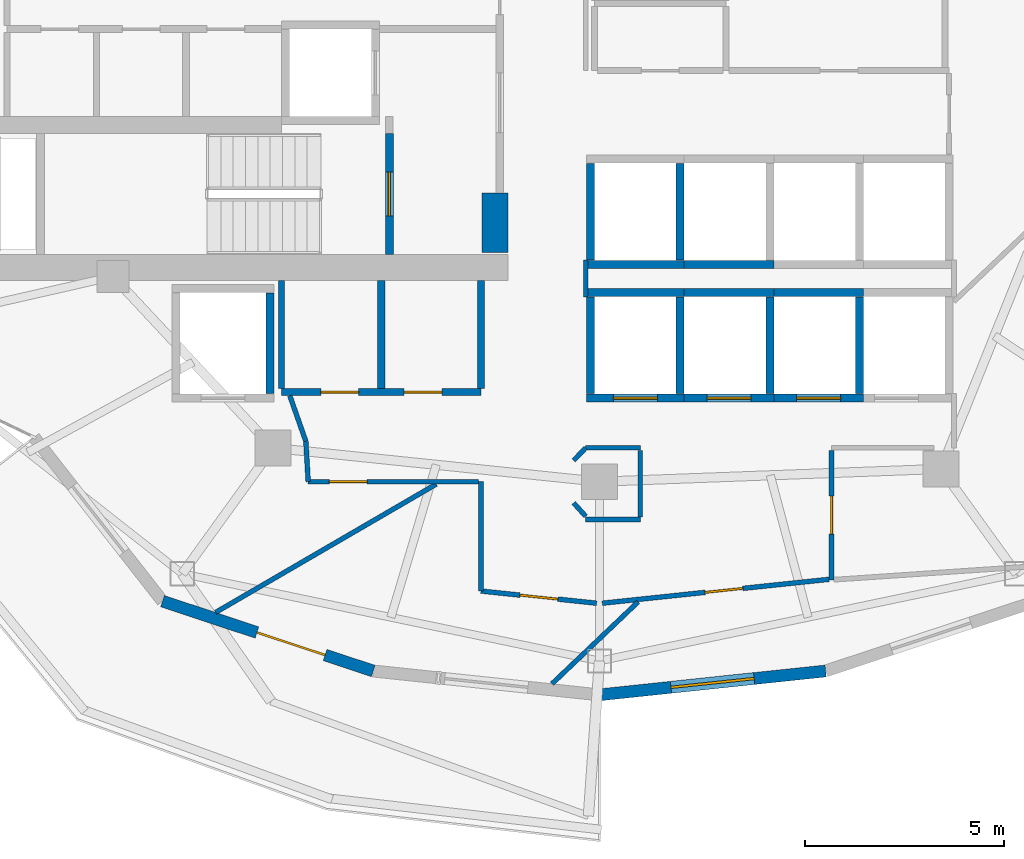
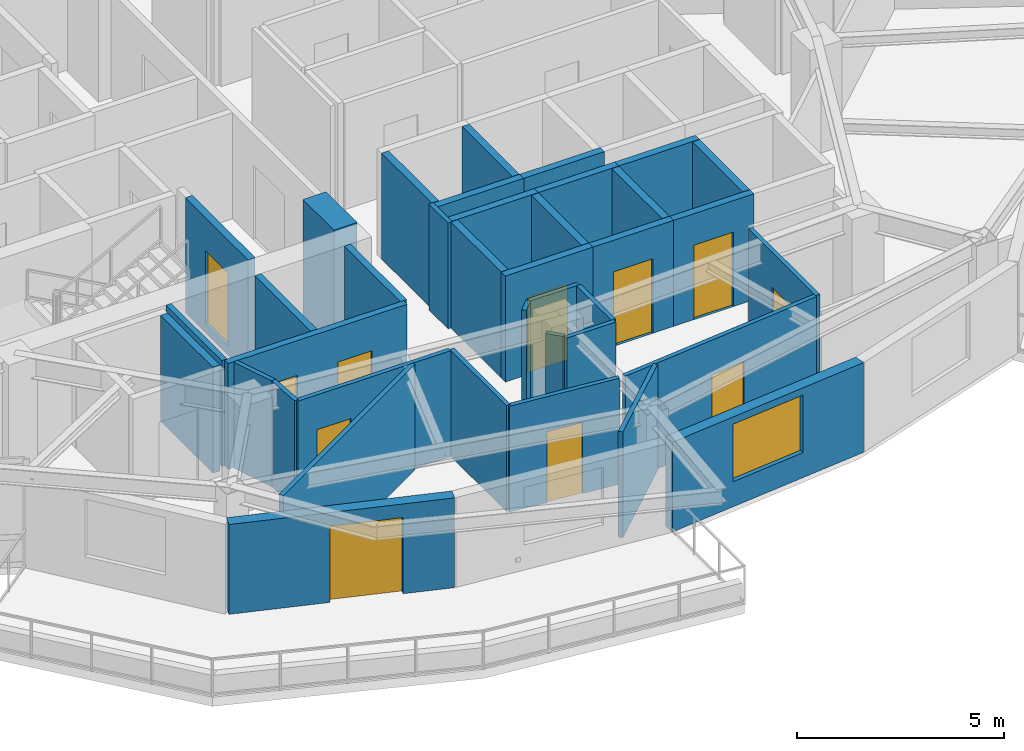
# One storey, part 7 of 13: 38 walls, 11 doors, 1 window, 12 openings.
"""IFC4 building model written with IfcOpenShell, lengths in metres."""

from ifc_helpers import new_model, si_unit, direction, frame, frame_2d, origin, place, context, subcontext, project, spatial, rectangle, extrude, material, layer, layer_set, type_object, element, fill, save


model = new_model("IFC4")

# Units and contexts
model_context = context("Model", 3, precision=1e-05, world=origin(), true_north=direction((0.0, 1.0)))
body_context = subcontext(model_context, "Body", "Model", "MODEL_VIEW")
ifc_project = project(units=[si_unit("LENGTHUNIT", "METRE"), si_unit("AREAUNIT", "SQUARE_METRE"), si_unit("VOLUMEUNIT", "CUBIC_METRE"), si_unit("PLANEANGLEUNIT", "RADIAN"), si_unit("MASSUNIT", "GRAM", prefix="KILO")], contexts=[model_context])

# Site, building, storey
site_placement = place(None, origin())
site = spatial("IfcSite", under=ifc_project, at=site_placement, CompositionType="ELEMENT")
building_placement = place(site_placement, origin())
building = spatial("IfcBuilding", under=site, at=building_placement, Name="Kolvaren Gate Tower and Convention Centre", CompositionType="ELEMENT")
storey_placement = place(building_placement, frame((0.0, 0.0, 156.300048828125)))
storey = spatial("IfcBuildingStorey", under=building, at=storey_placement, Name="L40", CompositionType="ELEMENT", Elevation=156.300048828125)

# Wall, openings, doors
ifc_material_1 = material(Name="Autoclaved Aerated Masonry Blockwork Class 4 (4.0 MPa)", Category="masonry")
ifc_layer_1 = layer(ifc_material_1, 0.179931640625)
ifc_layer_set_1 = layer_set([ifc_layer_1], Name="Autoclaved Aerated Masonry Blockwork Class 4 (4.0 MPa)")
wall_type_1 = type_object("IfcWallType", Name="ARCH-WL-COMP-180", PredefinedType="SOLIDWALL", material=ifc_layer_set_1)
wall_1_placement = place(storey_placement, frame((22.14990234375, 17.050048828125, 0.0), z_axis=(0.0, 0.0, 1.0), x_axis=(1.0, 0.0, 0.0)))
wall_1 = element("IfcWall", 1, at=wall_1_placement, inside=storey, type_object=wall_type_1, Name="Interior Partition WL-L40-INT-011", PredefinedType="SOLIDWALL", context=body_context, shape_type="SweptSolid", body=[
    extrude(rectangle(XDim=5.0, YDim=0.179931640625, at=frame_2d((2.5, 0.0))), origin(), (0.0, 0.0, 1.0), 3.1298828125),
])
opening_1_placement = place(wall_1_placement, frame((0.97998046875, 0.0, 0.0)))
opening_1 = element("IfcOpeningElement", 2, at=opening_1_placement, cuts=wall_1, Name="Opening DR-01", PredefinedType="OPENING", context=body_context, shape_type="SweptSolid", body=[
    extrude(rectangle(XDim=0.949951171875, YDim=2.10009765625, at=frame_2d((0.47509765625, 1.050048828125))), frame((0.0, 0.099853515625, 0.0), z_axis=(0.0, -1.0, 0.0), x_axis=(1.0, 0.0, 0.0)), (0.0, 0.0, 1.0), 0.199951171875),
])
opening_2_placement = place(wall_1_placement, frame((3.070068359375, 0.0, 0.0)))
opening_2 = element("IfcOpeningElement", 3, at=opening_2_placement, cuts=wall_1, Name="Opening DR-01", PredefinedType="OPENING", context=body_context, shape_type="SweptSolid", body=[
    extrude(rectangle(XDim=0.949951171875, YDim=2.10009765625, at=frame_2d((0.47509765625, 1.050048828125))), frame((0.0, 0.099853515625, 0.0), z_axis=(0.0, -1.0, 0.0), x_axis=(1.0, 0.0, 0.0)), (0.0, 0.0, 1.0), 0.199951171875),
])
ifc_material_2 = material(Name="Painted Architectural Steelwork ASTM A500 Grade C 345 MPa", Category="steel")
door_type_1 = type_object("IfcDoorType", Name="ARCH-DR-RISER-950", OperationType="SINGLE_SWING_RIGHT", PredefinedType="DOOR", material=ifc_material_2)
door_1_placement = place(opening_1_placement, origin())
door_1 = element("IfcDoor", 4, at=door_1_placement, inside=storey, type_object=door_type_1, Name="West Valet Store Door", OperationType="SINGLE_SWING_RIGHT", OverallHeight=2.10009765625, OverallWidth=0.949951171875, PredefinedType="DOOR", context=body_context, shape_type="SweptSolid", body=[
    extrude(rectangle(XDim=0.949951171875, YDim=2.10009765625, at=frame_2d((0.47509765625, 1.050048828125))), frame((0.0, 0.02490234375, 0.0), z_axis=(0.0, -1.0, 0.0), x_axis=(1.0, 0.0, 0.0)), (0.0, 0.0, 1.0), 0.050048828125),
])
fill(opening_1, door_1)
door_2_placement = place(opening_2_placement, origin())
door_2 = element("IfcDoor", 5, at=door_2_placement, inside=storey, type_object=door_type_1, Name="Metering Switch Room Door", OperationType="SINGLE_SWING_LEFT", OverallHeight=2.10009765625, OverallWidth=0.949951171875, PredefinedType="DOOR", context=body_context, shape_type="SweptSolid", body=[
    extrude(rectangle(XDim=0.949951171875, YDim=2.10009765625, at=frame_2d((0.47509765625, 1.050048828125))), frame((0.0, 0.02490234375, 0.0), z_axis=(0.0, -1.0, 0.0), x_axis=(1.0, 0.0, 0.0)), (0.0, 0.0, 1.0), 0.050048828125),
])
fill(opening_2, door_2)

# Walls
for number, where, z_axis, x_axis, name in (
    (6, (24.64990234375, 17.14208984375, 0.0), (0.0, 0.0, 1.0), (0.0, 1.0, 0.0), "Interior Partition WL-L40-INT-013"),
    (7, (27.14990234375, 17.14208984375, 0.0), (0.0, 0.0, 1.0), (0.0, 1.0, 0.0), "Interior Partition WL-L40-INT-015"),
):
    element("IfcWall", number, at=place(storey_placement, frame(where, z_axis=z_axis, x_axis=x_axis)), inside=storey, type_object=wall_type_1, Name=name, PredefinedType="SOLIDWALL", context=body_context, shape_type="SweptSolid", body=[
        extrude(rectangle(XDim=2.705810546875, YDim=0.179931640625, at=frame_2d((1.35302734375, 0.0))), origin(), (0.0, 0.0, 1.0), 3.1298828125),
    ])
ifc_material_3 = material(Name="Fire-Rated Acoustic Gypsum Stud Partition", Category="gypsum")
ifc_layer_2 = layer(ifc_material_3, 0.1201171875)
ifc_layer_set_2 = layer_set([ifc_layer_2], Name="Fire-Rated Acoustic Gypsum Stud Partition")
wall_type_2 = type_object("IfcWallType", Name="ARCH-WL-PART-120", PredefinedType="PARTITIONING", material=ifc_layer_set_2)
wall_2_placement = place(storey_placement, frame((27.14990234375, 12.055908203125, 0.0), z_axis=(0.0, 0.0, 1.0), x_axis=(0.0, 1.0, 0.0)))
element("IfcWall", 8, at=wall_2_placement, inside=storey, type_object=wall_type_2, Name="Interior Partition WL-L40-INT-014", PredefinedType="PARTITIONING", context=body_context, shape_type="SweptSolid", body=[
    extrude(rectangle(XDim=2.744140625, YDim=0.1201171875, at=frame_2d((1.3720703125, 0.0))), origin(), (0.0, 0.0, 1.0), 3.1298828125),
])
wall_3_placement = place(storey_placement, frame((29.780029296875, 15.64990234375, 0.0), z_axis=(0.0, 0.0, 1.0), x_axis=(1.0, 0.0, 0.0)))
element("IfcWall", 9, at=wall_3_placement, inside=storey, type_object=wall_type_2, Name="Interior Partition WL-L40-INT-030", PredefinedType="PARTITIONING", context=body_context, shape_type="SweptSolid", body=[
    extrude(rectangle(XDim=1.369873046875, YDim=0.1201171875, at=frame_2d((0.68505859375, 0.0))), origin(), (0.0, 0.0, 1.0), 3.1298828125),
])

# Wall, opening, door
wall_4_placement = place(storey_placement, frame((35.949951171875, 12.3359375, 0.0), z_axis=(0.0, 0.0, 1.0), x_axis=(0.0, 1.0, 0.0)))
wall_4 = element("IfcWall", 10, at=wall_4_placement, inside=storey, type_object=wall_type_2, Name="Interior Partition WL-L40-INT-032", PredefinedType="PARTITIONING", context=body_context, shape_type="SweptSolid", body=[
    extrude(rectangle(XDim=3.251953125, YDim=0.1201171875, at=frame_2d((1.6259765625, 0.0))), origin(), (0.0, 0.0, 1.0), 3.1298828125),
])
opening_3_placement = place(wall_4_placement, frame((1.15087890625, 0.0, 0.0)))
opening_3 = element("IfcOpeningElement", 11, at=opening_3_placement, cuts=wall_4, Name="Opening DR-01", PredefinedType="OPENING", context=body_context, shape_type="SweptSolid", body=[
    extrude(rectangle(XDim=0.949951171875, YDim=2.10009765625, at=frame_2d((0.47509765625, 1.050048828125))), frame((0.0, 0.070068359375, 0.0), z_axis=(0.0, -1.0, 0.0), x_axis=(1.0, 0.0, 0.0)), (0.0, 0.0, 1.0), 0.14013671875),
])
door_3_placement = place(opening_3_placement, origin())
door_3 = element("IfcDoor", 12, at=door_3_placement, inside=storey, type_object=door_type_1, Name="Hotel Seminar Conference Room Door", OperationType="SINGLE_SWING_LEFT", OverallHeight=2.10009765625, OverallWidth=0.949951171875, PredefinedType="DOOR", context=body_context, shape_type="SweptSolid", body=[
    extrude(rectangle(XDim=0.949951171875, YDim=2.10009765625, at=frame_2d((0.47509765625, 1.050048828125))), frame((0.0, 0.02490234375, 0.0), z_axis=(0.0, -1.0, 0.0), x_axis=(1.0, 0.0, 0.0)), (0.0, 0.0, 1.0), 0.050048828125),
])
fill(opening_3, door_3)

wall_5_placement = place(storey_placement, frame((30.195068359375, 11.75, 0.0), z_axis=(0.0, 0.0, 1.0), x_axis=(0.994498907508, 0.104746947287, 0.0)))
wall_5 = element("IfcWall", 13, at=wall_5_placement, inside=storey, type_object=wall_type_2, Name="Interior Partition WL-L40-INT-033", PredefinedType="PARTITIONING", context=body_context, shape_type="SweptSolid", body=[
    extrude(rectangle(XDim=5.724365234375, YDim=0.1201171875, at=frame_2d((2.8623046875, 0.0))), origin(), (0.0, 0.0, 1.0), 3.1298828125),
])
opening_4_placement = place(wall_5_placement, frame((2.59423828125, 0.0, 0.0)))
opening_4 = element("IfcOpeningElement", 14, at=opening_4_placement, cuts=wall_5, Name="Opening DR-01", PredefinedType="OPENING", context=body_context, shape_type="SweptSolid", body=[
    extrude(rectangle(XDim=0.949951171875, YDim=2.10009765625, at=frame_2d((0.47509765625, 1.050048828125))), frame((0.0, 0.070068359375, 0.0), z_axis=(0.0, -1.0, 0.0), x_axis=(1.0, 0.0, 0.0)), (0.0, 0.0, 1.0), 0.14013671875),
])
door_4_placement = place(opening_4_placement, origin())
door_4 = element("IfcDoor", 15, at=door_4_placement, inside=storey, type_object=door_type_1, Name="Consultation Meeting Room Door", OperationType="SINGLE_SWING_RIGHT", OverallHeight=2.10009765625, OverallWidth=0.949951171875, PredefinedType="DOOR", context=body_context, shape_type="SweptSolid", body=[
    extrude(rectangle(XDim=0.949951171875, YDim=2.10009765625, at=frame_2d((0.47509765625, 1.050048828125))), frame((0.0, 0.02490234375, 0.0), z_axis=(0.0, -1.0, 0.0), x_axis=(1.0, 0.0, 0.0)), (0.0, 0.0, 1.0), 0.050048828125),
])
fill(opening_4, door_4)

wall_6_placement = place(storey_placement, frame((27.14990234375, 12.055908203125, 0.0), z_axis=(0.0, 0.0, 1.0), x_axis=(0.994501330468, -0.104723940422, 0.0)))
wall_6 = element("IfcWall", 16, at=wall_6_placement, inside=storey, type_object=wall_type_2, Name="Interior Partition WL-L40-INT-034", PredefinedType="PARTITIONING", context=body_context, shape_type="SweptSolid", body=[
    extrude(rectangle(XDim=2.921142578125, YDim=0.1201171875, at=frame_2d((1.46044921875, 0.0))), origin(), (0.0, 0.0, 1.0), 3.1298828125),
])
opening_5_placement = place(wall_6_placement, frame((0.985595703125, 0.0, 0.0)))
opening_5 = element("IfcOpeningElement", 17, at=opening_5_placement, cuts=wall_6, Name="Opening DR-01", PredefinedType="OPENING", context=body_context, shape_type="SweptSolid", body=[
    extrude(rectangle(XDim=0.949951171875, YDim=2.10009765625, at=frame_2d((0.47509765625, 1.050048828125))), frame((0.0, 0.070068359375, 0.0), z_axis=(0.0, -1.0, 0.0), x_axis=(1.0, 0.0, 0.0)), (0.0, 0.0, 1.0), 0.14013671875),
])
door_5_placement = place(opening_5_placement, origin())
door_5 = element("IfcDoor", 18, at=door_5_placement, inside=storey, type_object=door_type_1, Name="Hotel Seminar Conference Room Door", OperationType="SINGLE_SWING_LEFT", OverallHeight=2.10009765625, OverallWidth=0.949951171875, PredefinedType="DOOR", context=body_context, shape_type="SweptSolid", body=[
    extrude(rectangle(XDim=0.949951171875, YDim=2.10009765625, at=frame_2d((0.47509765625, 1.050048828125))), frame((0.0, 0.02490234375, 0.0), z_axis=(0.0, -1.0, 0.0), x_axis=(1.0, 0.0, 0.0)), (0.0, 0.0, 1.0), 0.050048828125),
])
fill(opening_5, door_5)

wall_7_placement = place(storey_placement, frame((22.81396484375, 14.800048828125, 0.0), z_axis=(0.0, 0.0, 1.0), x_axis=(1.0, 0.0, 0.0)))
wall_7 = element("IfcWall", 19, at=wall_7_placement, inside=storey, type_object=wall_type_2, Name="Interior Partition WL-L40-INT-035", PredefinedType="PARTITIONING", context=body_context, shape_type="SweptSolid", body=[
    extrude(rectangle(XDim=4.27392578125, YDim=0.1201171875, at=frame_2d((2.136962890625, 0.0))), origin(), (0.0, 0.0, 1.0), 3.1298828125),
])
opening_6_placement = place(wall_7_placement, frame((0.52880859375, 0.0, 0.0)))
opening_6 = element("IfcOpeningElement", 20, at=opening_6_placement, cuts=wall_7, Name="Opening DR-01", PredefinedType="OPENING", context=body_context, shape_type="SweptSolid", body=[
    extrude(rectangle(XDim=0.949951171875, YDim=2.10009765625, at=frame_2d((0.47509765625, 1.050048828125))), frame((0.0, 0.070068359375, 0.0), z_axis=(0.0, -1.0, 0.0), x_axis=(1.0, 0.0, 0.0)), (0.0, 0.0, 1.0), 0.14013671875),
])
door_6_placement = place(opening_6_placement, origin())
door_6 = element("IfcDoor", 21, at=door_6_placement, inside=storey, type_object=door_type_1, Name="Hotel Seminar Conference Room Door", OperationType="SINGLE_SWING_RIGHT", OverallHeight=2.10009765625, OverallWidth=0.949951171875, PredefinedType="DOOR", context=body_context, shape_type="SweptSolid", body=[
    extrude(rectangle(XDim=0.949951171875, YDim=2.10009765625, at=frame_2d((0.47509765625, 1.050048828125))), frame((0.0, 0.02490234375, 0.0), z_axis=(0.0, -1.0, 0.0), x_axis=(1.0, 0.0, 0.0)), (0.0, 0.0, 1.0), 0.050048828125),
])
fill(opening_6, door_6)

# Walls
wall_8_placement = place(storey_placement, frame((22.756103515625, 15.81103515625, 0.0), z_axis=(0.0, 0.0, 1.0), x_axis=(0.057139047697, -0.998366230012, 0.0)))
element("IfcWall", 22, at=wall_8_placement, inside=storey, type_object=wall_type_2, Name="Interior Partition WL-L40-INT-036", PredefinedType="PARTITIONING", context=body_context, shape_type="SweptSolid", body=[
    extrude(rectangle(XDim=1.0126953125, YDim=0.1201171875, at=frame_2d((0.50634765625, 0.0))), origin(), (0.0, 0.0, 1.0), 3.1298828125),
])
wall_9_placement = place(storey_placement, frame((22.353271484375, 16.9580078125, 0.0), z_axis=(0.0, 0.0, 1.0), x_axis=(0.331370038458, -0.943500873138, 0.0)))
element("IfcWall", 23, at=wall_9_placement, inside=storey, type_object=wall_type_2, Name="Interior Partition WL-L40-INT-037", PredefinedType="PARTITIONING", context=body_context, shape_type="SweptSolid", body=[
    extrude(rectangle(XDim=1.215576171875, YDim=0.1201171875, at=frame_2d((0.60791015625, 0.0))), origin(), (0.0, 0.0, 1.0), 3.1298828125),
])
wall_10_placement = place(storey_placement, frame((29.780029296875, 19.43994140625, 0.0), z_axis=(0.0, 0.0, 1.0), x_axis=(0.0, 1.0, 0.0)))
element("IfcWall", 24, at=wall_10_placement, inside=storey, type_object=wall_type_2, Name="Interior Partition WL-L40-INT-040", PredefinedType="PARTITIONING", context=body_context, shape_type="SweptSolid", body=[
    extrude(rectangle(XDim=0.920166015625, YDim=0.1201171875, at=frame_2d((0.4599609375, 0.0))), origin(), (0.0, 0.0, 1.0), 3.1298828125),
])
wall_11_placement = place(storey_placement, frame((29.47607421875, 15.3330078125, 0.0), z_axis=(0.0, 0.0, 1.0), x_axis=(0.692219273951, 0.721687243043, 0.0)))
element("IfcWall", 25, at=wall_11_placement, inside=storey, type_object=wall_type_2, Name="Interior Partition WL-L40-INT-051", PredefinedType="PARTITIONING", context=body_context, shape_type="SweptSolid", body=[
    extrude(rectangle(XDim=0.439208984375, YDim=0.1201171875, at=frame_2d((0.2197265625, 0.0))), origin(), (0.0, 0.0, 1.0), 3.1298828125),
])
wall_12_placement = place(storey_placement, frame((29.47607421875, 14.26708984375, 0.0), z_axis=(0.0, 0.0, 1.0), x_axis=(0.670659392016, -0.741765448037, 0.0)))
element("IfcWall", 26, at=wall_12_placement, inside=storey, type_object=wall_type_2, Name="Interior Partition WL-L40-INT-052", PredefinedType="PARTITIONING", context=body_context, shape_type="SweptSolid", body=[
    extrude(rectangle(XDim=0.453125, YDim=0.1201171875, at=frame_2d((0.2265625, 0.0))), origin(), (0.0, 0.0, 1.0), 3.1298828125),
])
wall_13_placement = place(storey_placement, frame((29.780029296875, 13.85009765625, 0.0), z_axis=(0.0, 0.0, 1.0), x_axis=(1.0, 0.0, 0.0)))
element("IfcWall", 27, at=wall_13_placement, inside=storey, type_object=wall_type_2, Name="Interior Partition WL-L40-INT-053", PredefinedType="PARTITIONING", context=body_context, shape_type="SweptSolid", body=[
    extrude(rectangle(XDim=1.369873046875, YDim=0.1201171875, at=frame_2d((0.68505859375, 0.0))), origin(), (0.0, 0.0, 1.0), 3.1298828125),
])
wall_14_placement = place(storey_placement, frame((31.14990234375, 13.912109375, 0.0), z_axis=(0.0, 0.0, 1.0), x_axis=(0.0, 1.0, 0.0)))
element("IfcWall", 28, at=wall_14_placement, inside=storey, type_object=wall_type_2, Name="Interior Partition WL-L40-INT-054", PredefinedType="PARTITIONING", context=body_context, shape_type="SweptSolid", body=[
    extrude(rectangle(XDim=1.67578125, YDim=0.1201171875, at=frame_2d((0.837890625, 0.0))), origin(), (0.0, 0.0, 1.0), 3.1298828125),
])
wall_15_placement = place(storey_placement, frame((20.490966796875, 11.51904296875, 0.0), z_axis=(0.0, 0.0, 1.0), x_axis=(0.864495629624, 0.502640334991, 0.0)))
element("IfcWall", 29, at=wall_15_placement, inside=storey, type_object=wall_type_2, Name="Interior Partition WL-L40-INT-057", PredefinedType="PARTITIONING", context=body_context, shape_type="SweptSolid", body=[
    extrude(rectangle(XDim=6.404052734375, YDim=0.1201171875, at=frame_2d((3.2021484375, 0.0))), origin(), (0.0, 0.0, 1.0), 3.1298828125),
])
wall_16_placement = place(storey_placement, frame((28.9345703125, 9.728271484375, 0.0), z_axis=(0.0, 0.0, 1.0), x_axis=(0.724541098321, 0.689231598843, 0.0)))
element("IfcWall", 30, at=wall_16_placement, inside=storey, type_object=wall_type_2, Name="Interior Partition WL-L40-INT-058", PredefinedType="PARTITIONING", context=body_context, shape_type="SweptSolid", body=[
    extrude(rectangle(XDim=2.97998046875, YDim=0.1201171875, at=frame_2d((1.489990234375, 0.0))), origin(), (0.0, 0.0, 1.0), 3.1298828125),
])
ifc_layer_3 = layer(ifc_material_1, 0.199951171875)
ifc_layer_set_3 = layer_set([ifc_layer_3], Name="Autoclaved Aerated Masonry Blockwork Class 4 (4.0 MPa)")
wall_type_3 = type_object("IfcWallType", Name="ARCH-WL-SHAFT-200", PredefinedType="SOLIDWALL", material=ifc_layer_set_3)
wall_17_placement = place(storey_placement, frame((21.85009765625, 17.010009765625, 0.0), z_axis=(0.0, 0.0, 1.0), x_axis=(0.0, 1.0, 0.0)))
element("IfcWall", 31, at=wall_17_placement, inside=storey, type_object=wall_type_3, Name="Elevator SV-01 L40 Fire Shaft Wall E", PredefinedType="SOLIDWALL", context=body_context, shape_type="SweptSolid", body=[
    extrude(rectangle(XDim=2.530029296875, YDim=0.199951171875, at=frame_2d((1.26513671875, 0.0))), origin(), (0.0, 0.0, 1.0), 3.1298828125),
])
wall_18_placement = place(storey_placement, frame((29.800048828125, 19.550048828125, 0.0), z_axis=(0.0, 0.0, 1.0), x_axis=(1.0, 0.0, 0.0)))
element("IfcWall", 32, at=wall_18_placement, inside=storey, type_object=wall_type_3, Name="Elevator PL-05 L40 Fire Shaft Wall N", PredefinedType="SOLIDWALL", context=body_context, shape_type="SweptSolid", body=[
    extrude(rectangle(XDim=2.449951171875, YDim=0.199951171875, at=frame_2d((1.22509765625, 0.0))), origin(), (0.0, 0.0, 1.0), 3.1298828125),
])

# Wall, opening, door
wall_19_placement = place(storey_placement, frame((29.800048828125, 16.89990234375, 0.0), z_axis=(0.0, 0.0, 1.0), x_axis=(1.0, 0.0, 0.0)))
wall_19 = element("IfcWall", 33, at=wall_19_placement, inside=storey, type_object=wall_type_3, Name="Elevator PL-05 L40 Fire Shaft Wall S", PredefinedType="SOLIDWALL", context=body_context, shape_type="SweptSolid", body=[
    extrude(rectangle(XDim=2.449951171875, YDim=0.199951171875, at=frame_2d((1.22509765625, 0.0))), origin(), (0.0, 0.0, 1.0), 3.1298828125),
])
opening_7_placement = place(wall_19_placement, frame((0.675048828125, 0.0, 0.0)))
opening_7 = element("IfcOpeningElement", 34, at=opening_7_placement, cuts=wall_19, Name="Opening LD", PredefinedType="OPENING", context=body_context, shape_type="SweptSolid", body=[
    extrude(rectangle(XDim=1.10009765625, YDim=2.199951171875, at=frame_2d((0.550048828125, 1.10009765625))), frame((0.0, 0.10986328125, 0.0), z_axis=(0.0, -1.0, 0.0), x_axis=(1.0, 0.0, 0.0)), (0.0, 0.0, 1.0), 0.219970703125),
])
ifc_material_4 = material(Name="Brushed Stainless Steel Grade 316L", Category="steel")
door_type_2 = type_object("IfcDoorType", Name="ARCH-DR-LIFT-1100", OperationType="SLIDING_TO_LEFT", PredefinedType="DOOR", material=ifc_material_4)
door_7_placement = place(opening_7_placement, origin())
door_7 = element("IfcDoor", 35, at=door_7_placement, inside=storey, type_object=door_type_2, Name="Elevator PL-05 L40 Sliding Landing Door", OperationType="SLIDING_TO_LEFT", OverallHeight=2.199951171875, OverallWidth=1.10009765625, PredefinedType="DOOR", context=body_context, shape_type="SweptSolid", body=[
    extrude(rectangle(XDim=1.10009765625, YDim=2.199951171875, at=frame_2d((0.550048828125, 1.10009765625))), frame((0.0, 0.02490234375, 0.0), z_axis=(0.0, -1.0, 0.0), x_axis=(1.0, 0.0, 0.0)), (0.0, 0.0, 1.0), 0.050048828125),
])
fill(opening_7, door_7)

# Walls
for number, where, z_axis, x_axis, name in (
    (36, (29.89990234375, 17.010009765625, 0.0), (0.0, 0.0, 1.0), (0.0, 1.0, 0.0), "Elevator PL-05 L40 Fire Shaft Wall W"),
    (37, (32.14990234375, 17.010009765625, 0.0), (0.0, 0.0, 1.0), (0.0, 1.0, 0.0), "Elevator PL-05 L40 Fire Shaft Wall E"),
):
    element("IfcWall", number, at=place(storey_placement, frame(where, z_axis=z_axis, x_axis=x_axis)), inside=storey, type_object=wall_type_3, Name=name, PredefinedType="SOLIDWALL", context=body_context, shape_type="SweptSolid", body=[
        extrude(rectangle(XDim=2.429931640625, YDim=0.199951171875, at=frame_2d((1.21484375, 0.0))), origin(), (0.0, 0.0, 1.0), 3.1298828125),
    ])
wall_20_placement = place(storey_placement, frame((32.25, 19.550048828125, 0.0), z_axis=(0.0, 0.0, 1.0), x_axis=(1.0, 0.0, 0.0)))
element("IfcWall", 38, at=wall_20_placement, inside=storey, type_object=wall_type_3, Name="Elevator PL-06 L40 Fire Shaft Wall N", PredefinedType="SOLIDWALL", context=body_context, shape_type="SweptSolid", body=[
    extrude(rectangle(XDim=2.25, YDim=0.199951171875, at=frame_2d((1.125, 0.0))), origin(), (0.0, 0.0, 1.0), 3.1298828125),
])

# Wall, opening, door
wall_21_placement = place(storey_placement, frame((32.25, 16.89990234375, 0.0), z_axis=(0.0, 0.0, 1.0), x_axis=(1.0, 0.0, 0.0)))
wall_21 = element("IfcWall", 39, at=wall_21_placement, inside=storey, type_object=wall_type_3, Name="Elevator PL-06 L40 Fire Shaft Wall S", PredefinedType="SOLIDWALL", context=body_context, shape_type="SweptSolid", body=[
    extrude(rectangle(XDim=2.25, YDim=0.199951171875, at=frame_2d((1.125, 0.0))), origin(), (0.0, 0.0, 1.0), 3.1298828125),
])
opening_8_placement = place(wall_21_placement, frame((0.574951171875, 0.0, 0.0)))
opening_8 = element("IfcOpeningElement", 40, at=opening_8_placement, cuts=wall_21, Name="Opening LD", PredefinedType="OPENING", context=body_context, shape_type="SweptSolid", body=[
    extrude(rectangle(XDim=1.10009765625, YDim=2.199951171875, at=frame_2d((0.550048828125, 1.10009765625))), frame((0.0, 0.10986328125, 0.0), z_axis=(0.0, -1.0, 0.0), x_axis=(1.0, 0.0, 0.0)), (0.0, 0.0, 1.0), 0.219970703125),
])
door_8_placement = place(opening_8_placement, origin())
door_8 = element("IfcDoor", 41, at=door_8_placement, inside=storey, type_object=door_type_2, Name="Elevator PL-06 L40 Sliding Landing Door", OperationType="SLIDING_TO_LEFT", OverallHeight=2.199951171875, OverallWidth=1.10009765625, PredefinedType="DOOR", context=body_context, shape_type="SweptSolid", body=[
    extrude(rectangle(XDim=1.10009765625, YDim=2.199951171875, at=frame_2d((0.550048828125, 1.10009765625))), frame((0.0, 0.02490234375, 0.0), z_axis=(0.0, -1.0, 0.0), x_axis=(1.0, 0.0, 0.0)), (0.0, 0.0, 1.0), 0.050048828125),
])
fill(opening_8, door_8)

# Walls
wall_22_placement = place(storey_placement, frame((34.39990234375, 17.010009765625, 0.0), z_axis=(0.0, 0.0, 1.0), x_axis=(0.0, 1.0, 0.0)))
element("IfcWall", 42, at=wall_22_placement, inside=storey, type_object=wall_type_3, Name="Elevator PL-06 L40 Fire Shaft Wall E", PredefinedType="SOLIDWALL", context=body_context, shape_type="SweptSolid", body=[
    extrude(rectangle(XDim=2.429931640625, YDim=0.199951171875, at=frame_2d((1.21484375, 0.0))), origin(), (0.0, 0.0, 1.0), 3.1298828125),
])
wall_23_placement = place(storey_placement, frame((34.5, 19.550048828125, 0.0), z_axis=(0.0, 0.0, 1.0), x_axis=(1.0, 0.0, 0.0)))
element("IfcWall", 43, at=wall_23_placement, inside=storey, type_object=wall_type_3, Name="Elevator PL-07 L40 Fire Shaft Wall N", PredefinedType="SOLIDWALL", context=body_context, shape_type="SweptSolid", body=[
    extrude(rectangle(XDim=2.25, YDim=0.199951171875, at=frame_2d((1.125, 0.0))), origin(), (0.0, 0.0, 1.0), 3.1298828125),
])

# Wall, opening, door
wall_24_placement = place(storey_placement, frame((34.5, 16.89990234375, 0.0), z_axis=(0.0, 0.0, 1.0), x_axis=(1.0, 0.0, 0.0)))
wall_24 = element("IfcWall", 44, at=wall_24_placement, inside=storey, type_object=wall_type_3, Name="Elevator PL-07 L40 Fire Shaft Wall S", PredefinedType="SOLIDWALL", context=body_context, shape_type="SweptSolid", body=[
    extrude(rectangle(XDim=2.25, YDim=0.199951171875, at=frame_2d((1.125, 0.0))), origin(), (0.0, 0.0, 1.0), 3.1298828125),
])
opening_9_placement = place(wall_24_placement, frame((0.574951171875, 0.0, 0.0)))
opening_9 = element("IfcOpeningElement", 45, at=opening_9_placement, cuts=wall_24, Name="Opening LD", PredefinedType="OPENING", context=body_context, shape_type="SweptSolid", body=[
    extrude(rectangle(XDim=1.10009765625, YDim=2.199951171875, at=frame_2d((0.550048828125, 1.10009765625))), frame((0.0, 0.10986328125, 0.0), z_axis=(0.0, -1.0, 0.0), x_axis=(1.0, 0.0, 0.0)), (0.0, 0.0, 1.0), 0.219970703125),
])
door_9_placement = place(opening_9_placement, origin())
door_9 = element("IfcDoor", 46, at=door_9_placement, inside=storey, type_object=door_type_2, Name="Elevator PL-07 L40 Sliding Landing Door", OperationType="SLIDING_TO_LEFT", OverallHeight=2.199951171875, OverallWidth=1.10009765625, PredefinedType="DOOR", context=body_context, shape_type="SweptSolid", body=[
    extrude(rectangle(XDim=1.10009765625, YDim=2.199951171875, at=frame_2d((0.550048828125, 1.10009765625))), frame((0.0, 0.02490234375, 0.0), z_axis=(0.0, -1.0, 0.0), x_axis=(1.0, 0.0, 0.0)), (0.0, 0.0, 1.0), 0.050048828125),
])
fill(opening_9, door_9)

# Walls
wall_25_placement = place(storey_placement, frame((36.64990234375, 17.010009765625, 0.0), z_axis=(0.0, 0.0, 1.0), x_axis=(0.0, 1.0, 0.0)))
element("IfcWall", 47, at=wall_25_placement, inside=storey, type_object=wall_type_3, Name="Elevator PL-07 L40 Fire Shaft Wall E", PredefinedType="SOLIDWALL", context=body_context, shape_type="SweptSolid", body=[
    extrude(rectangle(XDim=2.429931640625, YDim=0.199951171875, at=frame_2d((1.21484375, 0.0))), origin(), (0.0, 0.0, 1.0), 3.1298828125),
])
wall_26_placement = place(storey_placement, frame((29.800048828125, 20.25, 0.0), z_axis=(0.0, 0.0, 1.0), x_axis=(1.0, 0.0, 0.0)))
element("IfcWall", 48, at=wall_26_placement, inside=storey, type_object=wall_type_3, Name="Elevator PL-09 L40 Fire Shaft Wall S", PredefinedType="SOLIDWALL", context=body_context, shape_type="SweptSolid", body=[
    extrude(rectangle(XDim=2.449951171875, YDim=0.199951171875, at=frame_2d((1.22509765625, 0.0))), origin(), (0.0, 0.0, 1.0), 3.1298828125),
])
for number, where, z_axis, x_axis, name in (
    (49, (29.89990234375, 20.360107421875, 0.0), (0.0, 0.0, 1.0), (0.0, 1.0, 0.0), "Elevator PL-09 L40 Fire Shaft Wall W"),
    (50, (32.14990234375, 20.360107421875, 0.0), (0.0, 0.0, 1.0), (0.0, 1.0, 0.0), "Elevator PL-09 L40 Fire Shaft Wall E"),
):
    element("IfcWall", number, at=place(storey_placement, frame(where, z_axis=z_axis, x_axis=x_axis)), inside=storey, type_object=wall_type_3, Name=name, PredefinedType="SOLIDWALL", context=body_context, shape_type="SweptSolid", body=[
        extrude(rectangle(XDim=2.429931640625, YDim=0.199951171875, at=frame_2d((1.21484375, 0.0))), origin(), (0.0, 0.0, 1.0), 3.1298828125),
    ])
wall_27_placement = place(storey_placement, frame((32.25, 20.25, 0.0), z_axis=(0.0, 0.0, 1.0), x_axis=(1.0, 0.0, 0.0)))
element("IfcWall", 51, at=wall_27_placement, inside=storey, type_object=wall_type_3, Name="Elevator PL-10 L40 Fire Shaft Wall S", PredefinedType="SOLIDWALL", context=body_context, shape_type="SweptSolid", body=[
    extrude(rectangle(XDim=2.25, YDim=0.199951171875, at=frame_2d((1.125, 0.0))), origin(), (0.0, 0.0, 1.0), 3.1298828125),
])

# Wall, opening, door
ifc_material_5 = material(Name="Piedmont Cream Honed Limestone Cladding", Category="masonry")
ifc_layer_4 = layer(ifc_material_5, 0.300048828125)
ifc_layer_set_4 = layer_set([ifc_layer_4], Name="Piedmont Cream Honed Limestone Cladding")
wall_type_4 = type_object("IfcWallType", Name="ARCH-WL-STONE-300", PredefinedType="SOLIDWALL", material=ifc_layer_set_4)
wall_28_placement = place(storey_placement, frame((19.15625, 11.80126953125, 0.0), z_axis=(0.0, 0.0, 1.0), x_axis=(0.949246811547, -0.314532177636, 0.0)))
wall_28 = element("IfcWall", 52, at=wall_28_placement, inside=storey, type_object=wall_type_4, Name="Tower L40 Honed Stone Spandrel Wall EW-16", PredefinedType="SOLIDWALL", context=body_context, shape_type="SweptSolid", body=[
    extrude(rectangle(XDim=5.573974609375, YDim=0.300048828125, at=frame_2d((2.787109375, 0.0))), origin(), (0.0, 0.0, 1.0), 2.65283203125),
])
opening_10_placement = place(wall_28_placement, frame((2.5, 0.0, 0.0)))
opening_10 = element("IfcOpeningElement", 53, at=opening_10_placement, cuts=wall_28, Name="Opening DB-01", PredefinedType="OPENING", context=body_context, shape_type="SweptSolid", body=[
    extrude(rectangle(XDim=1.800048828125, YDim=2.25, at=frame_2d((0.89990234375, 1.125))), frame((0.0, 0.159912109375, 0.0), z_axis=(0.0, -1.0, 0.0), x_axis=(1.0, 0.0, 0.0)), (0.0, 0.0, 1.0), 0.320068359375),
])
ifc_material_6 = material(Name="Anodized Architectural Aluminium Alloy 6063-T6", Category="aluminium")
door_type_3 = type_object("IfcDoorType", Name="ARCH-DR-BALC-1800", OperationType="SLIDING_TO_LEFT", PredefinedType="DOOR", material=ifc_material_6)
door_10_placement = place(opening_10_placement, frame((1.800048828125, 0.0, 0.0), z_axis=(0.0, 0.0, 1.0), x_axis=(-1.0, 0.0, 0.0)))
door_10 = element("IfcDoor", 54, at=door_10_placement, inside=storey, type_object=door_type_3, Name="Planted Sky Terrace Access Door DB-L40-16", OperationType="SLIDING_TO_LEFT", OverallHeight=2.25, OverallWidth=1.800048828125, PredefinedType="DOOR", context=body_context, shape_type="SweptSolid", body=[
    extrude(rectangle(XDim=1.800048828125, YDim=2.25, at=frame_2d((0.89990234375, 1.125))), frame((0.0, 0.02490234375, 0.0), z_axis=(0.0, -1.0, 0.0), x_axis=(1.0, 0.0, 0.0)), (0.0, 0.0, 1.0), 0.050048828125),
])
fill(opening_10, door_10)

# Wall, opening, window
wall_29_placement = place(storey_placement, frame((30.125, 9.449951171875, 0.0), z_axis=(0.0, 0.0, 1.0), x_axis=(0.994496545245, 0.104769372887, 0.0)))
wall_29 = element("IfcWall", 55, at=wall_29_placement, inside=storey, type_object=wall_type_4, Name="Tower L40 Honed Stone Spandrel Wall EW-18", PredefinedType="SOLIDWALL", context=body_context, shape_type="SweptSolid", body=[
    extrude(rectangle(XDim=5.709228515625, YDim=0.300048828125, at=frame_2d((2.8544921875, 0.0))), origin(), (0.0, 0.0, 1.0), 2.65283203125),
])
opening_11_placement = place(wall_29_placement, frame((1.804931640625, 0.0, 0.739990234375)))
opening_11 = element("IfcOpeningElement", 56, at=opening_11_placement, cuts=wall_29, Name="Opening W-02", PredefinedType="OPENING", context=body_context, shape_type="SweptSolid", body=[
    extrude(rectangle(XDim=2.10009765625, YDim=1.699951171875, at=frame_2d((1.050048828125, 0.85009765625))), frame((0.0, 0.159912109375, 0.0), z_axis=(0.0, -1.0, 0.0), x_axis=(1.0, 0.0, 0.0)), (0.0, 0.0, 1.0), 0.320068359375),
])
ifc_material_7 = material(Name="Low-E Triple Insulated Glazing Unit 44 mm", Category="glass")
window_type = type_object("IfcWindowType", Name="ARCH-WN-HTL-2100", PartitioningType="SINGLE_PANEL", PredefinedType="WINDOW", material=ifc_material_7)
window_placement = place(opening_11_placement, origin())
window = element("IfcWindow", 57, at=window_placement, inside=storey, type_object=window_type, Name="Tower L40 Punched Stone Facade Window W-18", OverallHeight=1.699951171875, OverallWidth=2.10009765625, PartitioningType="SINGLE_PANEL", PredefinedType="WINDOW", context=body_context, shape_type="SweptSolid", body=[
    extrude(rectangle(XDim=2.10009765625, YDim=1.699951171875, at=frame_2d((1.050048828125, 0.85009765625))), frame((0.0, 0.030029296875, 0.0), z_axis=(0.0, -1.0, 0.0), x_axis=(1.0, 0.0, 0.0)), (0.0, 0.0, 1.0), 0.06005859375),
])
fill(opening_11, window)

# Walls
ifc_material_8 = material(Name="Moisture-Resistant Cement-Board Acoustic Partition", Category="gypsum")
ifc_layer_5 = layer(ifc_material_8, 0.14990234375)
ifc_layer_set_5 = layer_set([ifc_layer_5], Name="Moisture-Resistant Cement-Board Acoustic Partition")
wall_type_5 = type_object("IfcWallType", Name="ARCH-WL-WET-150", PredefinedType="PARTITIONING", material=ifc_layer_set_5)
wall_30_placement = place(storey_placement, frame((22.14990234375, 17.14208984375, 0.0), z_axis=(0.0, 0.0, 1.0), x_axis=(0.0, 1.0, 0.0)))
element("IfcWall", 58, at=wall_30_placement, inside=storey, type_object=wall_type_5, Name="Interior Partition WL-L40-INT-012", PredefinedType="PARTITIONING", context=body_context, shape_type="SweptSolid", body=[
    extrude(rectangle(XDim=2.705810546875, YDim=0.14990234375, at=frame_2d((1.35302734375, 0.0))), origin(), (0.0, 0.0, 1.0), 3.1298828125),
])
ifc_material_9 = material(Name="Concrete C60/75", Category="concrete")
ifc_layer_6 = layer(ifc_material_9, 0.64990234375)
ifc_layer_set_6 = layer_set([ifc_layer_6], Name="Concrete C60/75")
wall_type_6 = type_object("IfcWallType", Name="STR-WL-CORE-650", PredefinedType="SHEAR", material=ifc_layer_set_6)
wall_31_placement = place(storey_placement, frame((27.5, 20.550048828125, -0.27001953125), z_axis=(0.0, 0.0, 1.0), x_axis=(0.0, 1.0, 0.0)))
element("IfcWall", 59, at=wall_31_placement, inside=storey, type_object=wall_type_6, Name="Tower L40 Offset Core Shear Wall ES", PredefinedType="SHEAR", context=body_context, shape_type="SweptSolid", body=[
    extrude(rectangle(XDim=1.5, YDim=0.64990234375, at=frame_2d((0.75, 0.0))), origin(), (0.0, 0.0, 1.0), 3.39990234375),
])

# Wall, opening, door
ifc_material_10 = material(Name="Concrete C50/60", Category="concrete")
ifc_layer_7 = layer(ifc_material_10, 0.199951171875)
ifc_layer_set_7 = layer_set([ifc_layer_7], Name="Concrete C50/60")
wall_type_7 = type_object("IfcWallType", Name="STR-WL-SHAFT-200", PredefinedType="SHEAR", material=ifc_layer_set_7)
wall_32_placement = place(storey_placement, frame((24.85009765625, 20.501953125, -0.27001953125), z_axis=(0.0, 0.0, 1.0), x_axis=(0.0, 1.0, 0.0)))
wall_32 = element("IfcWall", 60, at=wall_32_placement, inside=storey, type_object=wall_type_7, Name="Tower South Exit Stair ST-T2 L40 Structural Shear Enclosure Wall NEAR", PredefinedType="SHEAR", context=body_context, shape_type="SweptSolid", body=[
    extrude(rectangle(XDim=3.0380859375, YDim=0.199951171875, at=frame_2d((1.51904296875, 0.0))), origin(), (0.0, 0.0, 1.0), 3.39990234375),
])
opening_12_placement = place(wall_32_placement, frame((0.968994140625, 0.0, 0.27001953125)))
opening_12 = element("IfcOpeningElement", 61, at=opening_12_placement, cuts=wall_32, Name="Opening DS-01", PredefinedType="OPENING", context=body_context, shape_type="SweptSolid", body=[
    extrude(rectangle(XDim=1.10009765625, YDim=2.14990234375, at=frame_2d((0.550048828125, 1.074951171875))), frame((0.0, 0.10986328125, 0.0), z_axis=(0.0, -1.0, 0.0), x_axis=(1.0, 0.0, 0.0)), (0.0, 0.0, 1.0), 0.219970703125),
])
door_type_4 = type_object("IfcDoorType", Name="ARCH-DR-STAIR-1100", OperationType="SINGLE_SWING_LEFT", PredefinedType="DOOR", material=ifc_material_2)
door_11_placement = place(opening_12_placement, origin())
door_11 = element("IfcDoor", 62, at=door_11_placement, inside=storey, type_object=door_type_4, Name="Tower South Exit Stair ST-T2 L40 Fire Exit Stair Door", OperationType="SINGLE_SWING_RIGHT", OverallHeight=2.14990234375, OverallWidth=1.10009765625, PredefinedType="DOOR", context=body_context, shape_type="SweptSolid", body=[
    extrude(rectangle(XDim=1.10009765625, YDim=2.14990234375, at=frame_2d((0.550048828125, 1.074951171875))), frame((0.0, 0.02490234375, 0.0), z_axis=(0.0, -1.0, 0.0), x_axis=(1.0, 0.0, 0.0)), (0.0, 0.0, 1.0), 0.050048828125),
])
fill(opening_12, door_11)

save(model, "model.ifc")
